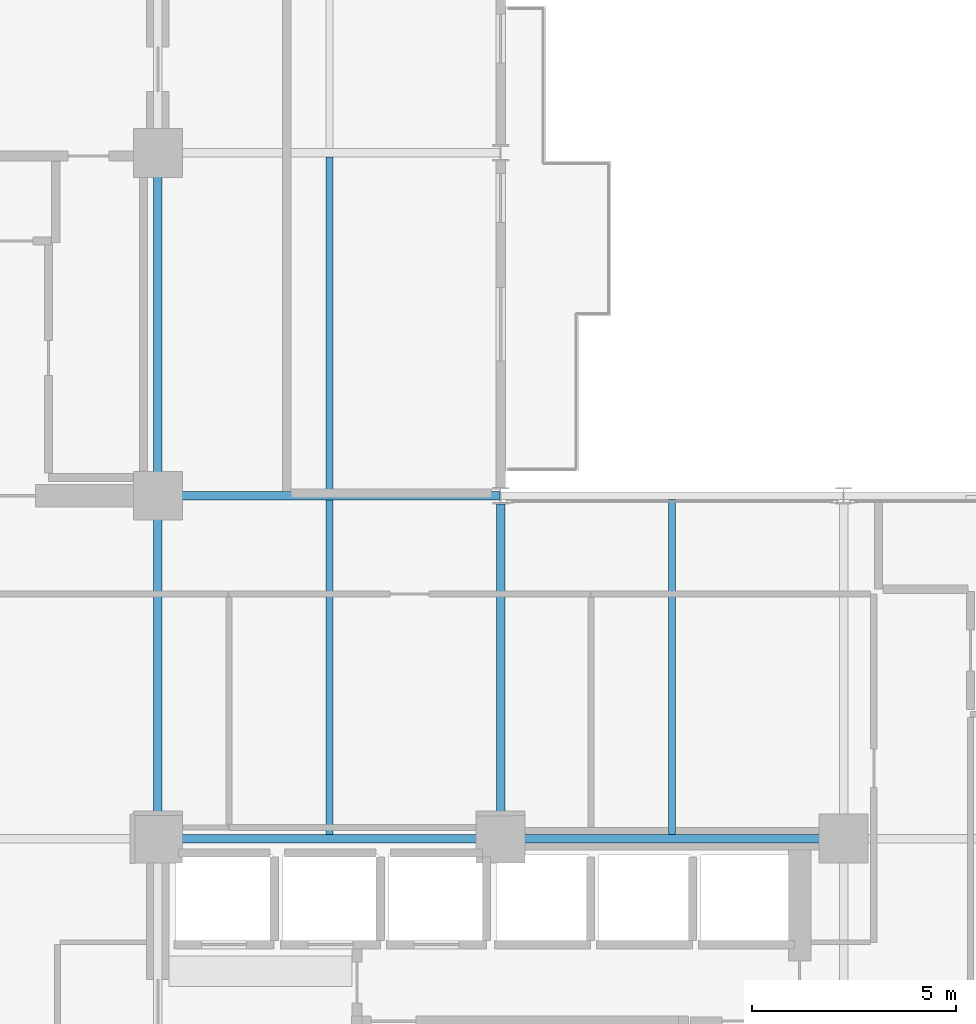
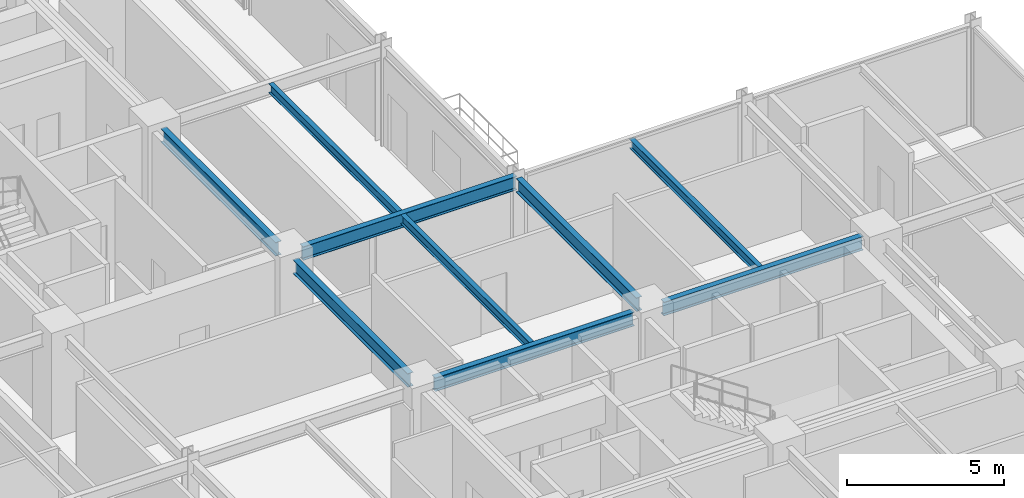
# One storey, part 11 of 29: 9 beams.
"""IFC4 building model written with IfcOpenShell, lengths in metres."""

from ifc_helpers import new_model, si_unit, direction, frame, origin, origin_2d, place, context, subcontext, project, spatial, i_section, extrude, material, material_profile, profile_set, type_object, element, save


model = new_model("IFC4")

# Units and contexts
model_context = context("Model", 3, precision=1e-05, world=origin(), true_north=direction((0.0, 1.0)))
body_context = subcontext(model_context, "Body", "Model", "MODEL_VIEW")
ifc_project = project(units=[si_unit("LENGTHUNIT", "METRE"), si_unit("AREAUNIT", "SQUARE_METRE"), si_unit("VOLUMEUNIT", "CUBIC_METRE"), si_unit("PLANEANGLEUNIT", "RADIAN"), si_unit("MASSUNIT", "GRAM", prefix="KILO")], contexts=[model_context])

# Site, building, storey
site_placement = place(None, origin())
site = spatial("IfcSite", under=ifc_project, at=site_placement, CompositionType="ELEMENT")
building_placement = place(site_placement, origin())
building = spatial("IfcBuilding", under=site, at=building_placement, Name="Nerrivon Quay Data Exchange", CompositionType="ELEMENT")
storey_placement = place(building_placement, frame((0.0, 0.0, 150.0)))
storey = spatial("IfcBuildingStorey", under=building, at=storey_placement, Name="L35", CompositionType="ELEMENT", Elevation=150.0)

# Beams
ifc_material = material(Name="Steel Grade 350", Category="steel")
ifc_material_profile_1 = material_profile(ifc_material, i_section(OverallWidth=0.208984375, OverallDepth=0.532958984375, WebThickness=0.01025390625, FlangeThickness=0.015625, FilletRadius=0.013916015625, at=origin_2d()), Name="530UB92.4")
ifc_profile_set_1 = profile_set([ifc_material_profile_1], Name="Steel Grade 350")
beam_type_1 = type_object("IfcBeamType", Name="BM-G3-530UB92", PredefinedType="BEAM", material=ifc_profile_set_1)
beam_1_placement = place(storey_placement, frame((17.340087890625, 16.800048828125, 3.55859375), z_axis=(1.0, 0.0, 0.0), x_axis=(0.0, 1.0, 0.0)))
element("IfcBeam", 1, at=beam_1_placement, inside=storey, type_object=beam_type_1, Name="L35 EW Girder Y=16.8 (16.8..25.2)", PredefinedType="BEAM", context=body_context, shape_type="SweptSolid", body=[
    extrude(i_section(OverallWidth=0.208984375, OverallDepth=0.532958984375, WebThickness=0.01025390625, FlangeThickness=0.015625, FilletRadius=0.013916015625, at=origin_2d()), origin(), (0.0, 0.0, 1.0), 7.31982421875),
])
beam_2_placement = place(storey_placement, frame((25.739990234375, 16.800048828125, 3.55859375), z_axis=(1.0, 0.0, 0.0), x_axis=(0.0, 1.0, 0.0)))
element("IfcBeam", 2, at=beam_2_placement, inside=storey, type_object=beam_type_1, Name="L35 EW Girder Y=16.8 (25.2..33.6)", PredefinedType="BEAM", context=body_context, shape_type="SweptSolid", body=[
    extrude(i_section(OverallWidth=0.208984375, OverallDepth=0.532958984375, WebThickness=0.01025390625, FlangeThickness=0.015625, FilletRadius=0.013916015625, at=origin_2d()), origin(), (0.0, 0.0, 1.0), 7.320068359375),
])
beam_3_placement = place(storey_placement, frame((17.340087890625, 25.199951171875, 3.55859375), z_axis=(1.0, 0.0, 0.0), x_axis=(0.0, 1.0, 0.0)))
element("IfcBeam", 3, at=beam_3_placement, inside=storey, type_object=beam_type_1, Name="L35 EW Girder Y=25.2 (16.8..25.2)", PredefinedType="BEAM", context=body_context, shape_type="SweptSolid", body=[
    extrude(i_section(OverallWidth=0.208984375, OverallDepth=0.532958984375, WebThickness=0.01025390625, FlangeThickness=0.015625, FilletRadius=0.013916015625, at=origin_2d()), origin(), (0.0, 0.0, 1.0), 7.847412109375),
])
ifc_material_profile_2 = material_profile(ifc_material, i_section(OverallWidth=0.208984375, OverallDepth=0.528076171875, WebThickness=0.009521484375, FlangeThickness=0.01318359375, FilletRadius=0.013916015625, at=origin_2d()), Name="530UB82.0")
ifc_profile_set_2 = profile_set([ifc_material_profile_2], Name="Steel Grade 350")
beam_type_2 = type_object("IfcBeamType", Name="BM-G4-530UB82", PredefinedType="BEAM", material=ifc_profile_set_2)
beam_4_placement = place(storey_placement, frame((16.800048828125, 17.340087890625, 3.56103515625), z_axis=(0.0, 1.0, 0.0), x_axis=(-1.0, 0.0, 0.0)))
element("IfcBeam", 4, at=beam_4_placement, inside=storey, type_object=beam_type_2, Name="L35 NS Girder X=16.8 (16.8..25.2)", PredefinedType="BEAM", context=body_context, shape_type="SweptSolid", body=[
    extrude(i_section(OverallWidth=0.208984375, OverallDepth=0.528076171875, WebThickness=0.009521484375, FlangeThickness=0.01318359375, FilletRadius=0.013916015625, at=origin_2d()), origin(), (0.0, 0.0, 1.0), 7.31982421875),
])
beam_5_placement = place(storey_placement, frame((16.800048828125, 25.739990234375, 3.56103515625), z_axis=(0.0, 1.0, 0.0), x_axis=(-1.0, 0.0, 0.0)))
element("IfcBeam", 5, at=beam_5_placement, inside=storey, type_object=beam_type_2, Name="L35 NS Girder X=16.8 (25.2..33.6)", PredefinedType="BEAM", context=body_context, shape_type="SweptSolid", body=[
    extrude(i_section(OverallWidth=0.208984375, OverallDepth=0.528076171875, WebThickness=0.009521484375, FlangeThickness=0.01318359375, FilletRadius=0.013916015625, at=origin_2d()), origin(), (0.0, 0.0, 1.0), 7.320068359375),
])
beam_6_placement = place(storey_placement, frame((25.199951171875, 17.340087890625, 3.56103515625), z_axis=(0.0, 1.0, 0.0), x_axis=(-1.0, 0.0, 0.0)))
element("IfcBeam", 6, at=beam_6_placement, inside=storey, type_object=beam_type_2, Name="L35 NS Girder X=25.2 (16.8..25.2)", PredefinedType="BEAM", context=body_context, shape_type="SweptSolid", body=[
    extrude(i_section(OverallWidth=0.208984375, OverallDepth=0.528076171875, WebThickness=0.009521484375, FlangeThickness=0.01318359375, FilletRadius=0.013916015625, at=origin_2d()), origin(), (0.0, 0.0, 1.0), 7.659912109375),
])
ifc_material_profile_3 = material_profile(ifc_material, i_section(OverallWidth=0.1708984375, OverallDepth=0.35595703125, WebThickness=0.00732421875, FlangeThickness=0.011474609375, FilletRadius=0.011474609375, at=origin_2d()), Name="360UB50.7")
ifc_profile_set_3 = profile_set([ifc_material_profile_3], Name="Steel Grade 350")
beam_type_3 = type_object("IfcBeamType", Name="BM-J4-360UB51", PredefinedType="JOIST", material=ifc_profile_set_3)
beam_7_placement = place(storey_placement, frame((21.0, 16.904541015625, 3.64697265625), z_axis=(0.0, 1.0, 0.0), x_axis=(-1.0, 0.0, 0.0)))
element("IfcBeam", 7, at=beam_7_placement, inside=storey, type_object=beam_type_3, Name="L35 Secondary Joist X=21.0 (16.8..25.2)", PredefinedType="JOIST", context=body_context, shape_type="SweptSolid", body=[
    extrude(i_section(OverallWidth=0.1708984375, OverallDepth=0.35595703125, WebThickness=0.00732421875, FlangeThickness=0.011474609375, FilletRadius=0.011474609375, at=origin_2d()), origin(), (0.0, 0.0, 1.0), 8.19091796875),
])
beam_8_placement = place(storey_placement, frame((21.0, 25.304443359375, 3.64697265625), z_axis=(0.0, 1.0, 0.0), x_axis=(-1.0, 0.0, 0.0)))
element("IfcBeam", 8, at=beam_8_placement, inside=storey, type_object=beam_type_3, Name="L35 Secondary Joist X=21.0 (25.2..33.6)", PredefinedType="JOIST", context=body_context, shape_type="SweptSolid", body=[
    extrude(i_section(OverallWidth=0.1708984375, OverallDepth=0.35595703125, WebThickness=0.00732421875, FlangeThickness=0.011474609375, FilletRadius=0.011474609375, at=origin_2d()), origin(), (0.0, 0.0, 1.0), 8.191162109375),
])
beam_9_placement = place(storey_placement, frame((29.39990234375, 16.904541015625, 3.64697265625), z_axis=(0.0, 1.0, 0.0), x_axis=(-1.0, 0.0, 0.0)))
element("IfcBeam", 9, at=beam_9_placement, inside=storey, type_object=beam_type_3, Name="L35 Secondary Joist X=29.4 (16.8..25.2)", PredefinedType="JOIST", context=body_context, shape_type="SweptSolid", body=[
    extrude(i_section(OverallWidth=0.1708984375, OverallDepth=0.35595703125, WebThickness=0.00732421875, FlangeThickness=0.011474609375, FilletRadius=0.011474609375, at=origin_2d()), origin(), (0.0, 0.0, 1.0), 8.20654296875),
])

save(model, "model.ifc")
